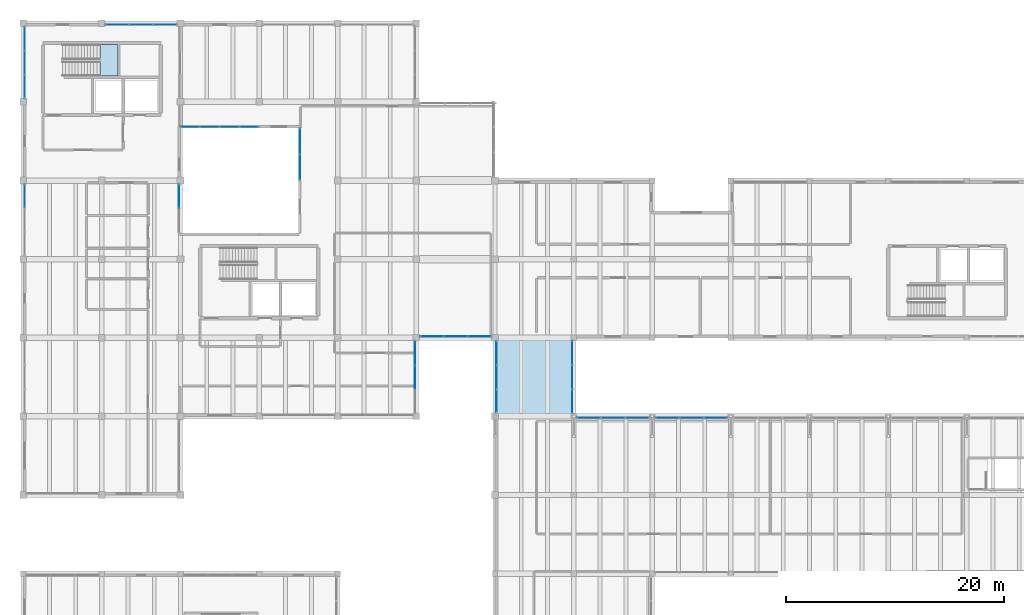
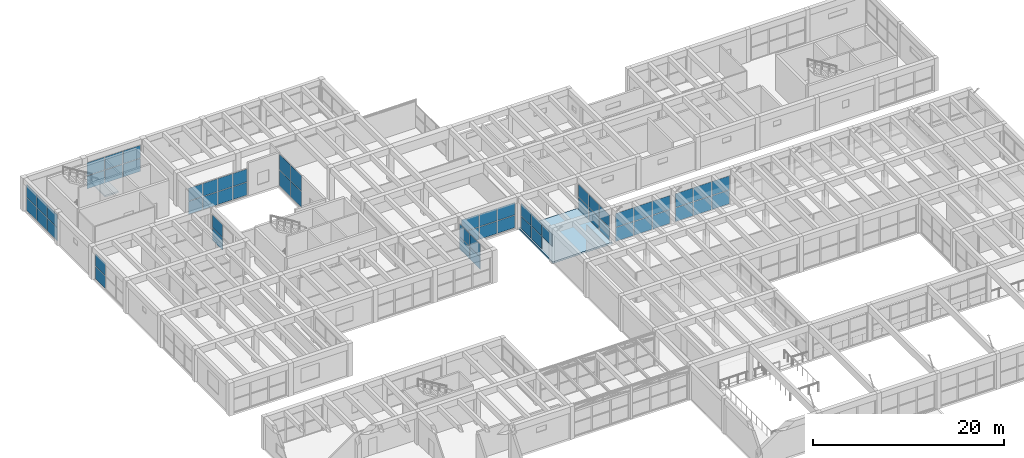
# One storey, part 122 of 153: 61 plates, 2 slabs, 13 elements without a shape of their own.
"""IFC4 building model written with IfcOpenShell, lengths in metres."""

from ifc_helpers import new_model, si_unit, direction, frame, origin, origin_2d, place, context, subcontext, project, spatial, polyline, rectangle, outline, extrude, material, layer, layer_set, type_object, element, aggregate, save


model = new_model("IFC4")

# Units and contexts
model_context = context("Model", 3, precision=1e-05, world=origin(), true_north=direction((0.0, 1.0)))
body_context = subcontext(model_context, "Body", "Model", "MODEL_VIEW")
ifc_project = project(units=[si_unit("LENGTHUNIT", "METRE"), si_unit("AREAUNIT", "SQUARE_METRE"), si_unit("VOLUMEUNIT", "CUBIC_METRE"), si_unit("PLANEANGLEUNIT", "RADIAN"), si_unit("MASSUNIT", "GRAM", prefix="KILO")], contexts=[model_context])

# Site, building, storey
site_placement = place(None, origin())
site = spatial("IfcSite", under=ifc_project, at=site_placement, CompositionType="ELEMENT")
building_placement = place(site_placement, origin())
building = spatial("IfcBuilding", under=site, at=building_placement, Name="Bramvelor Terrace Health Centre", CompositionType="ELEMENT")
storey_placement = place(building_placement, frame((0.0, 0.0, 4.800048828125)))
storey = spatial("IfcBuildingStorey", under=building, at=storey_placement, Name="L02", CompositionType="ELEMENT", Elevation=4.800048828125)

# Curtain wall, plates
ifc_material_1 = material(Name="Anodized aluminium and double low-E glass", Category="aluminium")
curtain_wall_type_1 = type_object("IfcCurtainWallType", Name="CW-SYS-12", PredefinedType="NOTDEFINED", material=ifc_material_1)
curtain_wall_1_placement = place(storey_placement, origin())
curtain_wall_1 = element("IfcCurtainWall", 1, at=curtain_wall_1_placement, inside=storey, type_object=curtain_wall_type_1, Name="L02 Unitized Curtain Wall 70", PredefinedType="NOTDEFINED")
ifc_material_2 = material(Name="Double low-E laminated glass", Category="glass")
ifc_layer_1 = layer(ifc_material_2, 0.028076171875)
ifc_layer_set_1 = layer_set([ifc_layer_1], Name="Double low-E laminated glass")
plate_type = type_object("IfcPlateType", Name="CW-PNL-GLZ28", PredefinedType="CURTAIN_PANEL", material=ifc_layer_set_1)
plate_1_placement = place(storey_placement, frame((43.330078125, 80.615478515625, 1.71240234375), z_axis=(0.0, 0.0, 1.0), x_axis=(0.0, 1.0, 0.0)))
plate_1 = element("IfcPlate", 2, at=plate_1_placement, type_object=plate_type, Name="CW-12 panel 1.2", PredefinedType="CURTAIN_PANEL", context=body_context, shape_type="SweptSolid", body=[
    extrude(rectangle(XDim=2.0908203125, YDim=0.028076171875, at=origin_2d()), origin(), (0.0, 0.0, 1.0), 1.58251953125),
])
plate_2_placement = place(storey_placement, frame((43.330078125, 82.800048828125, 0.06494140625), z_axis=(0.0, 0.0, 1.0), x_axis=(0.0, 1.0, 0.0)))
plate_2 = element("IfcPlate", 3, at=plate_2_placement, type_object=plate_type, Name="CW-12 panel 2.1", PredefinedType="CURTAIN_PANEL", context=body_context, shape_type="SweptSolid", body=[
    extrude(rectangle(XDim=2.12841796875, YDim=0.028076171875, at=origin_2d()), origin(), (0.0, 0.0, 1.0), 1.58251953125),
])
plate_3_placement = place(storey_placement, frame((43.330078125, 82.800048828125, 1.71240234375), z_axis=(0.0, 0.0, 1.0), x_axis=(0.0, 1.0, 0.0)))
plate_3 = element("IfcPlate", 4, at=plate_3_placement, type_object=plate_type, Name="CW-12 panel 2.2", PredefinedType="CURTAIN_PANEL", context=body_context, shape_type="SweptSolid", body=[
    extrude(rectangle(XDim=2.12841796875, YDim=0.028076171875, at=origin_2d()), origin(), (0.0, 0.0, 1.0), 1.58251953125),
])
plate_4_placement = place(storey_placement, frame((43.330078125, 84.984619140625, 0.06494140625), z_axis=(0.0, 0.0, 1.0), x_axis=(0.0, 1.0, 0.0)))
plate_4 = element("IfcPlate", 5, at=plate_4_placement, type_object=plate_type, Name="CW-12 panel 3.1", PredefinedType="CURTAIN_PANEL", context=body_context, shape_type="SweptSolid", body=[
    extrude(rectangle(XDim=2.0908203125, YDim=0.028076171875, at=origin_2d()), origin(), (0.0, 0.0, 1.0), 1.58251953125),
])
plate_5_placement = place(storey_placement, frame((43.330078125, 84.984619140625, 1.71240234375), z_axis=(0.0, 0.0, 1.0), x_axis=(0.0, 1.0, 0.0)))
plate_5 = element("IfcPlate", 6, at=plate_5_placement, type_object=plate_type, Name="CW-12 panel 3.2", PredefinedType="CURTAIN_PANEL", context=body_context, shape_type="SweptSolid", body=[
    extrude(rectangle(XDim=2.0908203125, YDim=0.028076171875, at=origin_2d()), origin(), (0.0, 0.0, 1.0), 1.58251953125),
])
aggregate(curtain_wall_1, [plate_1, plate_2, plate_3, plate_4, plate_5])

curtain_wall_2_placement = place(storey_placement, origin())
curtain_wall_2 = element("IfcCurtainWall", 7, at=curtain_wall_2_placement, inside=storey, type_object=curtain_wall_type_1, Name="L02 Unitized Curtain Wall 71", PredefinedType="NOTDEFINED")
plate_6_placement = place(storey_placement, frame((41.78466796875, 86.530029296875, 0.06494140625), z_axis=(0.0, 0.0, 1.0), x_axis=(-1.0, 0.0, 0.0)))
plate_6 = element("IfcPlate", 8, at=plate_6_placement, type_object=plate_type, Name="CW-12 panel 1.1", PredefinedType="CURTAIN_PANEL", context=body_context, shape_type="SweptSolid", body=[
    extrude(rectangle(XDim=2.0908203125, YDim=0.028076171875, at=origin_2d()), origin(), (0.0, 0.0, 1.0), 1.58251953125),
])
plate_7_placement = place(storey_placement, frame((41.78466796875, 86.530029296875, 1.71240234375), z_axis=(0.0, 0.0, 1.0), x_axis=(-1.0, 0.0, 0.0)))
plate_7 = element("IfcPlate", 9, at=plate_7_placement, type_object=plate_type, Name="CW-12 panel 1.2", PredefinedType="CURTAIN_PANEL", context=body_context, shape_type="SweptSolid", body=[
    extrude(rectangle(XDim=2.0908203125, YDim=0.028076171875, at=origin_2d()), origin(), (0.0, 0.0, 1.0), 1.58251953125),
])
plate_8_placement = place(storey_placement, frame((39.60009765625, 86.530029296875, 0.06494140625), z_axis=(0.0, 0.0, 1.0), x_axis=(-1.0, 0.0, 0.0)))
plate_8 = element("IfcPlate", 10, at=plate_8_placement, type_object=plate_type, Name="CW-12 panel 2.1", PredefinedType="CURTAIN_PANEL", context=body_context, shape_type="SweptSolid", body=[
    extrude(rectangle(XDim=2.12841796875, YDim=0.028076171875, at=origin_2d()), origin(), (0.0, 0.0, 1.0), 1.58251953125),
])
plate_9_placement = place(storey_placement, frame((39.60009765625, 86.530029296875, 1.71240234375), z_axis=(0.0, 0.0, 1.0), x_axis=(-1.0, 0.0, 0.0)))
plate_9 = element("IfcPlate", 11, at=plate_9_placement, type_object=plate_type, Name="CW-12 panel 2.2", PredefinedType="CURTAIN_PANEL", context=body_context, shape_type="SweptSolid", body=[
    extrude(rectangle(XDim=2.12841796875, YDim=0.028076171875, at=origin_2d()), origin(), (0.0, 0.0, 1.0), 1.58251953125),
])
plate_10_placement = place(storey_placement, frame((37.41552734375, 86.530029296875, 0.06494140625), z_axis=(0.0, 0.0, 1.0), x_axis=(-1.0, 0.0, 0.0)))
plate_10 = element("IfcPlate", 12, at=plate_10_placement, type_object=plate_type, Name="CW-12 panel 3.1", PredefinedType="CURTAIN_PANEL", context=body_context, shape_type="SweptSolid", body=[
    extrude(rectangle(XDim=2.0908203125, YDim=0.028076171875, at=origin_2d()), origin(), (0.0, 0.0, 1.0), 1.58251953125),
])
plate_11_placement = place(storey_placement, frame((37.41552734375, 86.530029296875, 1.71240234375), z_axis=(0.0, 0.0, 1.0), x_axis=(-1.0, 0.0, 0.0)))
plate_11 = element("IfcPlate", 13, at=plate_11_placement, type_object=plate_type, Name="CW-12 panel 3.2", PredefinedType="CURTAIN_PANEL", context=body_context, shape_type="SweptSolid", body=[
    extrude(rectangle(XDim=2.0908203125, YDim=0.028076171875, at=origin_2d()), origin(), (0.0, 0.0, 1.0), 1.58251953125),
])
aggregate(curtain_wall_2, [plate_6, plate_7, plate_8, plate_9, plate_10, plate_11])

curtain_wall_3_placement = place(storey_placement, origin())
curtain_wall_3 = element("IfcCurtainWall", 14, at=curtain_wall_3_placement, inside=storey, type_object=curtain_wall_type_1, Name="L02 Unitized Curtain Wall 72", PredefinedType="NOTDEFINED")
plate_12_placement = place(storey_placement, frame((35.8701171875, 84.984619140625, 0.06494140625), z_axis=(0.0, 0.0, 1.0), x_axis=(0.0, -1.0, 0.0)))
plate_12 = element("IfcPlate", 15, at=plate_12_placement, type_object=plate_type, Name="CW-12 panel 1.1", PredefinedType="CURTAIN_PANEL", context=body_context, shape_type="SweptSolid", body=[
    extrude(rectangle(XDim=2.0908203125, YDim=0.028076171875, at=origin_2d()), origin(), (0.0, 0.0, 1.0), 1.58251953125),
])
plate_13_placement = place(storey_placement, frame((35.8701171875, 84.984619140625, 1.71240234375), z_axis=(0.0, 0.0, 1.0), x_axis=(0.0, -1.0, 0.0)))
plate_13 = element("IfcPlate", 16, at=plate_13_placement, type_object=plate_type, Name="CW-12 panel 1.2", PredefinedType="CURTAIN_PANEL", context=body_context, shape_type="SweptSolid", body=[
    extrude(rectangle(XDim=2.0908203125, YDim=0.028076171875, at=origin_2d()), origin(), (0.0, 0.0, 1.0), 1.58251953125),
])
plate_14_placement = place(storey_placement, frame((35.8701171875, 82.800048828125, 0.06494140625), z_axis=(0.0, 0.0, 1.0), x_axis=(0.0, -1.0, 0.0)))
plate_14 = element("IfcPlate", 17, at=plate_14_placement, type_object=plate_type, Name="CW-12 panel 2.1", PredefinedType="CURTAIN_PANEL", context=body_context, shape_type="SweptSolid", body=[
    extrude(rectangle(XDim=2.12841796875, YDim=0.028076171875, at=origin_2d()), origin(), (0.0, 0.0, 1.0), 1.58251953125),
])
plate_15_placement = place(storey_placement, frame((35.8701171875, 82.800048828125, 1.71240234375), z_axis=(0.0, 0.0, 1.0), x_axis=(0.0, -1.0, 0.0)))
plate_15 = element("IfcPlate", 18, at=plate_15_placement, type_object=plate_type, Name="CW-12 panel 2.2", PredefinedType="CURTAIN_PANEL", context=body_context, shape_type="SweptSolid", body=[
    extrude(rectangle(XDim=2.12841796875, YDim=0.028076171875, at=origin_2d()), origin(), (0.0, 0.0, 1.0), 1.58251953125),
])
aggregate(curtain_wall_3, [plate_12, plate_13, plate_14, plate_15])

curtain_wall_4_placement = place(storey_placement, origin())
curtain_wall_4 = element("IfcCurtainWall", 19, at=curtain_wall_4_placement, inside=storey, type_object=curtain_wall_type_1, Name="L02 Unitized Curtain Wall 78", PredefinedType="NOTDEFINED")
plate_16_placement = place(storey_placement, frame((0.1298828125, 99.384521484375, 0.06494140625), z_axis=(0.0, 0.0, 1.0), x_axis=(0.0, 1.0, 0.0)))
plate_16 = element("IfcPlate", 20, at=plate_16_placement, type_object=plate_type, Name="CW-12 panel 3.1", PredefinedType="CURTAIN_PANEL", context=body_context, shape_type="SweptSolid", body=[
    extrude(rectangle(XDim=2.0908203125, YDim=0.028076171875, at=origin_2d()), origin(), (0.0, 0.0, 1.0), 1.58251953125),
])
plate_17_placement = place(storey_placement, frame((0.1298828125, 99.384521484375, 1.71240234375), z_axis=(0.0, 0.0, 1.0), x_axis=(0.0, 1.0, 0.0)))
plate_17 = element("IfcPlate", 21, at=plate_17_placement, type_object=plate_type, Name="CW-12 panel 3.2", PredefinedType="CURTAIN_PANEL", context=body_context, shape_type="SweptSolid", body=[
    extrude(rectangle(XDim=2.0908203125, YDim=0.028076171875, at=origin_2d()), origin(), (0.0, 0.0, 1.0), 1.58251953125),
])
aggregate(curtain_wall_4, [plate_16, plate_17])

ifc_material_3 = material(Name="Anodized aluminium and double low-E glass", Category="aluminium")
curtain_wall_type_2 = type_object("IfcCurtainWallType", Name="CW-SYS-13", PredefinedType="NOTDEFINED", material=ifc_material_3)
curtain_wall_5_placement = place(storey_placement, origin())
curtain_wall_5 = element("IfcCurtainWall", 22, at=curtain_wall_5_placement, inside=storey, type_object=curtain_wall_type_2, Name="L02 Unitized Curtain Wall 79", PredefinedType="NOTDEFINED")
plate_18_placement = place(storey_placement, frame((0.1298828125, 109.41552734375, 0.06494140625), z_axis=(0.0, 0.0, 1.0), x_axis=(0.0, 1.0, 0.0)))
plate_18 = element("IfcPlate", 23, at=plate_18_placement, type_object=plate_type, Name="CW-13 panel 1.1", PredefinedType="CURTAIN_PANEL", context=body_context, shape_type="SweptSolid", body=[
    extrude(rectangle(XDim=2.0908203125, YDim=0.028076171875, at=origin_2d()), origin(), (0.0, 0.0, 1.0), 1.632568359375),
])
plate_19_placement = place(storey_placement, frame((0.1298828125, 109.41552734375, 1.76220703125), z_axis=(0.0, 0.0, 1.0), x_axis=(0.0, 1.0, 0.0)))
plate_19 = element("IfcPlate", 24, at=plate_19_placement, type_object=plate_type, Name="CW-13 panel 1.2", PredefinedType="CURTAIN_PANEL", context=body_context, shape_type="SweptSolid", body=[
    extrude(rectangle(XDim=2.0908203125, YDim=0.028076171875, at=origin_2d()), origin(), (0.0, 0.0, 1.0), 1.632568359375),
])
plate_20_placement = place(storey_placement, frame((0.1298828125, 111.60009765625, 0.06494140625), z_axis=(0.0, 0.0, 1.0), x_axis=(0.0, 1.0, 0.0)))
plate_20 = element("IfcPlate", 25, at=plate_20_placement, type_object=plate_type, Name="CW-13 panel 2.1", PredefinedType="CURTAIN_PANEL", context=body_context, shape_type="SweptSolid", body=[
    extrude(rectangle(XDim=2.12841796875, YDim=0.028076171875, at=origin_2d()), origin(), (0.0, 0.0, 1.0), 1.632568359375),
])
plate_21_placement = place(storey_placement, frame((0.1298828125, 111.60009765625, 1.76220703125), z_axis=(0.0, 0.0, 1.0), x_axis=(0.0, 1.0, 0.0)))
plate_21 = element("IfcPlate", 26, at=plate_21_placement, type_object=plate_type, Name="CW-13 panel 2.2", PredefinedType="CURTAIN_PANEL", context=body_context, shape_type="SweptSolid", body=[
    extrude(rectangle(XDim=2.12841796875, YDim=0.028076171875, at=origin_2d()), origin(), (0.0, 0.0, 1.0), 1.632568359375),
])
plate_22_placement = place(storey_placement, frame((0.1298828125, 113.78466796875, 0.06494140625), z_axis=(0.0, 0.0, 1.0), x_axis=(0.0, 1.0, 0.0)))
plate_22 = element("IfcPlate", 27, at=plate_22_placement, type_object=plate_type, Name="CW-13 panel 3.1", PredefinedType="CURTAIN_PANEL", context=body_context, shape_type="SweptSolid", body=[
    extrude(rectangle(XDim=2.0908203125, YDim=0.028076171875, at=origin_2d()), origin(), (0.0, 0.0, 1.0), 1.632568359375),
])
plate_23_placement = place(storey_placement, frame((0.1298828125, 113.78466796875, 1.76220703125), z_axis=(0.0, 0.0, 1.0), x_axis=(0.0, 1.0, 0.0)))
plate_23 = element("IfcPlate", 28, at=plate_23_placement, type_object=plate_type, Name="CW-13 panel 3.2", PredefinedType="CURTAIN_PANEL", context=body_context, shape_type="SweptSolid", body=[
    extrude(rectangle(XDim=2.0908203125, YDim=0.028076171875, at=origin_2d()), origin(), (0.0, 0.0, 1.0), 1.632568359375),
])
aggregate(curtain_wall_5, [plate_18, plate_19, plate_20, plate_21, plate_22, plate_23])

curtain_wall_6_placement = place(storey_placement, origin())
curtain_wall_6 = element("IfcCurtainWall", 29, at=curtain_wall_6_placement, inside=storey, type_object=curtain_wall_type_2, Name="L02 Unitized Curtain Wall 80", PredefinedType="NOTDEFINED")
plate_24_placement = place(storey_placement, frame((8.615478515625, 115.070068359375, 0.06494140625), z_axis=(0.0, 0.0, 1.0), x_axis=(1.0, 0.0, 0.0)))
plate_24 = element("IfcPlate", 30, at=plate_24_placement, type_object=plate_type, Name="CW-13 panel 1.1", PredefinedType="CURTAIN_PANEL", context=body_context, shape_type="SweptSolid", body=[
    extrude(rectangle(XDim=2.0908203125, YDim=0.028076171875, at=origin_2d()), origin(), (0.0, 0.0, 1.0), 1.632568359375),
])
plate_25_placement = place(storey_placement, frame((8.615478515625, 115.070068359375, 1.76220703125), z_axis=(0.0, 0.0, 1.0), x_axis=(1.0, 0.0, 0.0)))
plate_25 = element("IfcPlate", 31, at=plate_25_placement, type_object=plate_type, Name="CW-13 panel 1.2", PredefinedType="CURTAIN_PANEL", context=body_context, shape_type="SweptSolid", body=[
    extrude(rectangle(XDim=2.0908203125, YDim=0.028076171875, at=origin_2d()), origin(), (0.0, 0.0, 1.0), 1.632568359375),
])
plate_26_placement = place(storey_placement, frame((10.800048828125, 115.070068359375, 0.06494140625), z_axis=(0.0, 0.0, 1.0), x_axis=(1.0, 0.0, 0.0)))
plate_26 = element("IfcPlate", 32, at=plate_26_placement, type_object=plate_type, Name="CW-13 panel 2.1", PredefinedType="CURTAIN_PANEL", context=body_context, shape_type="SweptSolid", body=[
    extrude(rectangle(XDim=2.12841796875, YDim=0.028076171875, at=origin_2d()), origin(), (0.0, 0.0, 1.0), 1.632568359375),
])
plate_27_placement = place(storey_placement, frame((10.800048828125, 115.070068359375, 1.76220703125), z_axis=(0.0, 0.0, 1.0), x_axis=(1.0, 0.0, 0.0)))
plate_27 = element("IfcPlate", 33, at=plate_27_placement, type_object=plate_type, Name="CW-13 panel 2.2", PredefinedType="CURTAIN_PANEL", context=body_context, shape_type="SweptSolid", body=[
    extrude(rectangle(XDim=2.12841796875, YDim=0.028076171875, at=origin_2d()), origin(), (0.0, 0.0, 1.0), 1.632568359375),
])
plate_28_placement = place(storey_placement, frame((12.984619140625, 115.070068359375, 0.06494140625), z_axis=(0.0, 0.0, 1.0), x_axis=(1.0, 0.0, 0.0)))
plate_28 = element("IfcPlate", 34, at=plate_28_placement, type_object=plate_type, Name="CW-13 panel 3.1", PredefinedType="CURTAIN_PANEL", context=body_context, shape_type="SweptSolid", body=[
    extrude(rectangle(XDim=2.0908203125, YDim=0.028076171875, at=origin_2d()), origin(), (0.0, 0.0, 1.0), 1.632568359375),
])
plate_29_placement = place(storey_placement, frame((12.984619140625, 115.070068359375, 1.76220703125), z_axis=(0.0, 0.0, 1.0), x_axis=(1.0, 0.0, 0.0)))
plate_29 = element("IfcPlate", 35, at=plate_29_placement, type_object=plate_type, Name="CW-13 panel 3.2", PredefinedType="CURTAIN_PANEL", context=body_context, shape_type="SweptSolid", body=[
    extrude(rectangle(XDim=2.0908203125, YDim=0.028076171875, at=origin_2d()), origin(), (0.0, 0.0, 1.0), 1.632568359375),
])
aggregate(curtain_wall_6, [plate_24, plate_25, plate_26, plate_27, plate_28, plate_29])

ifc_material_4 = material(Name="Anodized aluminium and double low-E glass", Category="aluminium")
curtain_wall_type_3 = type_object("IfcCurtainWallType", Name="CW-SYS-16", PredefinedType="NOTDEFINED", material=ifc_material_4)
curtain_wall_7_placement = place(storey_placement, origin())
curtain_wall_7 = element("IfcCurtainWall", 36, at=curtain_wall_7_placement, inside=storey, type_object=curtain_wall_type_3, Name="L02 Unitized Curtain Wall 90", PredefinedType="NOTDEFINED")
plate_30_placement = place(storey_placement, frame((50.27001953125, 85.017822265625, 0.06494140625), z_axis=(0.0, 0.0, 1.0), x_axis=(0.0, -1.0, 0.0)))
plate_30 = element("IfcPlate", 37, at=plate_30_placement, type_object=plate_type, Name="CW-16 panel 1.1", PredefinedType="CURTAIN_PANEL", context=body_context, shape_type="SweptSolid", body=[
    extrude(rectangle(XDim=2.124267578125, YDim=0.028076171875, at=origin_2d()), origin(), (0.0, 0.0, 1.0), 1.58251953125),
])
plate_31_placement = place(storey_placement, frame((50.27001953125, 85.017822265625, 1.71240234375), z_axis=(0.0, 0.0, 1.0), x_axis=(0.0, -1.0, 0.0)))
plate_31 = element("IfcPlate", 38, at=plate_31_placement, type_object=plate_type, Name="CW-16 panel 1.2", PredefinedType="CURTAIN_PANEL", context=body_context, shape_type="SweptSolid", body=[
    extrude(rectangle(XDim=2.124267578125, YDim=0.028076171875, at=origin_2d()), origin(), (0.0, 0.0, 1.0), 1.58251953125),
])
plate_32_placement = place(storey_placement, frame((50.27001953125, 82.800048828125, 0.06494140625), z_axis=(0.0, 0.0, 1.0), x_axis=(0.0, -1.0, 0.0)))
plate_32 = element("IfcPlate", 39, at=plate_32_placement, type_object=plate_type, Name="CW-16 panel 2.1", PredefinedType="CURTAIN_PANEL", context=body_context, shape_type="SweptSolid", body=[
    extrude(rectangle(XDim=2.16162109375, YDim=0.028076171875, at=origin_2d()), origin(), (0.0, 0.0, 1.0), 1.58251953125),
])
plate_33_placement = place(storey_placement, frame((50.27001953125, 82.800048828125, 1.71240234375), z_axis=(0.0, 0.0, 1.0), x_axis=(0.0, -1.0, 0.0)))
plate_33 = element("IfcPlate", 40, at=plate_33_placement, type_object=plate_type, Name="CW-16 panel 2.2", PredefinedType="CURTAIN_PANEL", context=body_context, shape_type="SweptSolid", body=[
    extrude(rectangle(XDim=2.16162109375, YDim=0.028076171875, at=origin_2d()), origin(), (0.0, 0.0, 1.0), 1.58251953125),
])
plate_34_placement = place(storey_placement, frame((50.27001953125, 80.58203125, 0.06494140625), z_axis=(0.0, 0.0, 1.0), x_axis=(0.0, -1.0, 0.0)))
plate_34 = element("IfcPlate", 41, at=plate_34_placement, type_object=plate_type, Name="CW-16 panel 3.1", PredefinedType="CURTAIN_PANEL", context=body_context, shape_type="SweptSolid", body=[
    extrude(rectangle(XDim=2.124267578125, YDim=0.028076171875, at=origin_2d()), origin(), (0.0, 0.0, 1.0), 1.58251953125),
])
plate_35_placement = place(storey_placement, frame((50.27001953125, 80.58203125, 1.71240234375), z_axis=(0.0, 0.0, 1.0), x_axis=(0.0, -1.0, 0.0)))
plate_35 = element("IfcPlate", 42, at=plate_35_placement, type_object=plate_type, Name="CW-16 panel 3.2", PredefinedType="CURTAIN_PANEL", context=body_context, shape_type="SweptSolid", body=[
    extrude(rectangle(XDim=2.124267578125, YDim=0.028076171875, at=origin_2d()), origin(), (0.0, 0.0, 1.0), 1.58251953125),
])
aggregate(curtain_wall_7, [plate_30, plate_31, plate_32, plate_33, plate_34, plate_35])

ifc_material_5 = material(Name="Anodized aluminium and double low-E glass", Category="aluminium")
curtain_wall_type_4 = type_object("IfcCurtainWallType", Name="CW-SYS-17", PredefinedType="NOTDEFINED", material=ifc_material_5)
curtain_wall_8_placement = place(storey_placement, origin())
curtain_wall_8 = element("IfcCurtainWall", 43, at=curtain_wall_8_placement, inside=storey, type_object=curtain_wall_type_4, Name="L02 Unitized Curtain Wall 91", PredefinedType="NOTDEFINED")
plate_36_placement = place(storey_placement, frame((51.781982421875, 79.070068359375, 0.06494140625), z_axis=(0.0, 0.0, 1.0), x_axis=(1.0, 0.0, 0.0)))
plate_36 = element("IfcPlate", 44, at=plate_36_placement, type_object=plate_type, Name="CW-17 panel 1.1", PredefinedType="CURTAIN_PANEL", context=body_context, shape_type="SweptSolid", body=[
    extrude(rectangle(XDim=2.124267578125, YDim=0.028076171875, at=origin_2d()), origin(), (0.0, 0.0, 1.0), 1.757568359375),
])
plate_37_placement = place(storey_placement, frame((51.781982421875, 79.070068359375, 1.88720703125), z_axis=(0.0, 0.0, 1.0), x_axis=(1.0, 0.0, 0.0)))
plate_37 = element("IfcPlate", 45, at=plate_37_placement, type_object=plate_type, Name="CW-17 panel 1.2", PredefinedType="CURTAIN_PANEL", context=body_context, shape_type="SweptSolid", body=[
    extrude(rectangle(XDim=2.124267578125, YDim=0.028076171875, at=origin_2d()), origin(), (0.0, 0.0, 1.0), 1.757568359375),
])
plate_38_placement = place(storey_placement, frame((54.0, 79.070068359375, 0.06494140625), z_axis=(0.0, 0.0, 1.0), x_axis=(1.0, 0.0, 0.0)))
plate_38 = element("IfcPlate", 46, at=plate_38_placement, type_object=plate_type, Name="CW-17 panel 2.1", PredefinedType="CURTAIN_PANEL", context=body_context, shape_type="SweptSolid", body=[
    extrude(rectangle(XDim=2.16162109375, YDim=0.028076171875, at=origin_2d()), origin(), (0.0, 0.0, 1.0), 1.757568359375),
])
plate_39_placement = place(storey_placement, frame((54.0, 79.070068359375, 1.88720703125), z_axis=(0.0, 0.0, 1.0), x_axis=(1.0, 0.0, 0.0)))
plate_39 = element("IfcPlate", 47, at=plate_39_placement, type_object=plate_type, Name="CW-17 panel 2.2", PredefinedType="CURTAIN_PANEL", context=body_context, shape_type="SweptSolid", body=[
    extrude(rectangle(XDim=2.16162109375, YDim=0.028076171875, at=origin_2d()), origin(), (0.0, 0.0, 1.0), 1.757568359375),
])
plate_40_placement = place(storey_placement, frame((56.218017578125, 79.070068359375, 0.06494140625), z_axis=(0.0, 0.0, 1.0), x_axis=(1.0, 0.0, 0.0)))
plate_40 = element("IfcPlate", 48, at=plate_40_placement, type_object=plate_type, Name="CW-17 panel 3.1", PredefinedType="CURTAIN_PANEL", context=body_context, shape_type="SweptSolid", body=[
    extrude(rectangle(XDim=2.124267578125, YDim=0.028076171875, at=origin_2d()), origin(), (0.0, 0.0, 1.0), 1.757568359375),
])
plate_41_placement = place(storey_placement, frame((56.218017578125, 79.070068359375, 1.88720703125), z_axis=(0.0, 0.0, 1.0), x_axis=(1.0, 0.0, 0.0)))
plate_41 = element("IfcPlate", 49, at=plate_41_placement, type_object=plate_type, Name="CW-17 panel 3.2", PredefinedType="CURTAIN_PANEL", context=body_context, shape_type="SweptSolid", body=[
    extrude(rectangle(XDim=2.124267578125, YDim=0.028076171875, at=origin_2d()), origin(), (0.0, 0.0, 1.0), 1.757568359375),
])
aggregate(curtain_wall_8, [plate_36, plate_37, plate_38, plate_39, plate_40, plate_41])

curtain_wall_9_placement = place(storey_placement, origin())
curtain_wall_9 = element("IfcCurtainWall", 50, at=curtain_wall_9_placement, inside=storey, type_object=curtain_wall_type_4, Name="L02 Unitized Curtain Wall 92", PredefinedType="NOTDEFINED")
plate_42_placement = place(storey_placement, frame((58.982177734375, 79.070068359375, 0.06494140625), z_axis=(0.0, 0.0, 1.0), x_axis=(1.0, 0.0, 0.0)))
plate_42 = element("IfcPlate", 51, at=plate_42_placement, type_object=plate_type, Name="CW-17 panel 1.1", PredefinedType="CURTAIN_PANEL", context=body_context, shape_type="SweptSolid", body=[
    extrude(rectangle(XDim=2.124267578125, YDim=0.028076171875, at=origin_2d()), origin(), (0.0, 0.0, 1.0), 1.757568359375),
])
plate_43_placement = place(storey_placement, frame((58.982177734375, 79.070068359375, 1.88720703125), z_axis=(0.0, 0.0, 1.0), x_axis=(1.0, 0.0, 0.0)))
plate_43 = element("IfcPlate", 52, at=plate_43_placement, type_object=plate_type, Name="CW-17 panel 1.2", PredefinedType="CURTAIN_PANEL", context=body_context, shape_type="SweptSolid", body=[
    extrude(rectangle(XDim=2.124267578125, YDim=0.028076171875, at=origin_2d()), origin(), (0.0, 0.0, 1.0), 1.757568359375),
])
plate_44_placement = place(storey_placement, frame((61.199951171875, 79.070068359375, 0.06494140625), z_axis=(0.0, 0.0, 1.0), x_axis=(1.0, 0.0, 0.0)))
plate_44 = element("IfcPlate", 53, at=plate_44_placement, type_object=plate_type, Name="CW-17 panel 2.1", PredefinedType="CURTAIN_PANEL", context=body_context, shape_type="SweptSolid", body=[
    extrude(rectangle(XDim=2.16162109375, YDim=0.028076171875, at=origin_2d()), origin(), (0.0, 0.0, 1.0), 1.757568359375),
])
plate_45_placement = place(storey_placement, frame((61.199951171875, 79.070068359375, 1.88720703125), z_axis=(0.0, 0.0, 1.0), x_axis=(1.0, 0.0, 0.0)))
plate_45 = element("IfcPlate", 54, at=plate_45_placement, type_object=plate_type, Name="CW-17 panel 2.2", PredefinedType="CURTAIN_PANEL", context=body_context, shape_type="SweptSolid", body=[
    extrude(rectangle(XDim=2.16162109375, YDim=0.028076171875, at=origin_2d()), origin(), (0.0, 0.0, 1.0), 1.757568359375),
])
plate_46_placement = place(storey_placement, frame((63.41796875, 79.070068359375, 0.06494140625), z_axis=(0.0, 0.0, 1.0), x_axis=(1.0, 0.0, 0.0)))
plate_46 = element("IfcPlate", 55, at=plate_46_placement, type_object=plate_type, Name="CW-17 panel 3.1", PredefinedType="CURTAIN_PANEL", context=body_context, shape_type="SweptSolid", body=[
    extrude(rectangle(XDim=2.124267578125, YDim=0.028076171875, at=origin_2d()), origin(), (0.0, 0.0, 1.0), 1.757568359375),
])
plate_47_placement = place(storey_placement, frame((63.41796875, 79.070068359375, 1.88720703125), z_axis=(0.0, 0.0, 1.0), x_axis=(1.0, 0.0, 0.0)))
plate_47 = element("IfcPlate", 56, at=plate_47_placement, type_object=plate_type, Name="CW-17 panel 3.2", PredefinedType="CURTAIN_PANEL", context=body_context, shape_type="SweptSolid", body=[
    extrude(rectangle(XDim=2.124267578125, YDim=0.028076171875, at=origin_2d()), origin(), (0.0, 0.0, 1.0), 1.757568359375),
])
aggregate(curtain_wall_9, [plate_42, plate_43, plate_44, plate_45, plate_46, plate_47])

ifc_material_6 = material(Name="Anodized aluminium and double low-E glass", Category="aluminium")
curtain_wall_type_5 = type_object("IfcCurtainWallType", Name="CW-SYS-21", PredefinedType="NOTDEFINED", material=ifc_material_6)
curtain_wall_10_placement = place(storey_placement, origin())
curtain_wall_10 = element("IfcCurtainWall", 57, at=curtain_wall_10_placement, inside=storey, type_object=curtain_wall_type_5, Name="L02 Unitized Curtain Wall 143", PredefinedType="NOTDEFINED")
plate_48_placement = place(storey_placement, frame((14.27001953125, 99.35498046875, 0.06494140625), z_axis=(0.0, 0.0, 1.0), x_axis=(0.0, -1.0, 0.0)))
plate_48 = element("IfcPlate", 58, at=plate_48_placement, type_object=plate_type, Name="CW-21 panel 1.1", PredefinedType="CURTAIN_PANEL", context=body_context, shape_type="SweptSolid", body=[
    extrude(rectangle(XDim=2.14990234375, YDim=0.028076171875, at=origin_2d()), origin(), (0.0, 0.0, 1.0), 1.58251953125),
])
plate_49_placement = place(storey_placement, frame((14.27001953125, 99.35498046875, 1.71240234375), z_axis=(0.0, 0.0, 1.0), x_axis=(0.0, -1.0, 0.0)))
plate_49 = element("IfcPlate", 59, at=plate_49_placement, type_object=plate_type, Name="CW-21 panel 1.2", PredefinedType="CURTAIN_PANEL", context=body_context, shape_type="SweptSolid", body=[
    extrude(rectangle(XDim=2.14990234375, YDim=0.028076171875, at=origin_2d()), origin(), (0.0, 0.0, 1.0), 1.58251953125),
])
aggregate(curtain_wall_10, [plate_48, plate_49])

ifc_material_7 = material(Name="Anodized aluminium and double low-E glass", Category="aluminium")
curtain_wall_type_6 = type_object("IfcCurtainWallType", Name="CW-SYS-22", PredefinedType="NOTDEFINED", material=ifc_material_7)
curtain_wall_11_placement = place(storey_placement, origin())
curtain_wall_11 = element("IfcCurtainWall", 60, at=curtain_wall_11_placement, inside=storey, type_object=curtain_wall_type_6, Name="L02 Unitized Curtain Wall 144", PredefinedType="NOTDEFINED")
plate_50_placement = place(storey_placement, frame((25.330078125, 102.023681640625, 0.06494140625), z_axis=(0.0, 0.0, 1.0), x_axis=(0.0, 1.0, 0.0)))
plate_50 = element("IfcPlate", 61, at=plate_50_placement, type_object=plate_type, Name="CW-22 panel 1.1", PredefinedType="CURTAIN_PANEL", context=body_context, shape_type="SweptSolid", body=[
    extrude(rectangle(XDim=2.297607421875, YDim=0.028076171875, at=origin_2d()), origin(), (0.0, 0.0, 1.0), 1.982421875),
])
plate_51_placement = place(storey_placement, frame((25.330078125, 102.023681640625, 2.112548828125), z_axis=(0.0, 0.0, 1.0), x_axis=(0.0, 1.0, 0.0)))
plate_51 = element("IfcPlate", 62, at=plate_51_placement, type_object=plate_type, Name="CW-22 panel 1.2", PredefinedType="CURTAIN_PANEL", context=body_context, shape_type="SweptSolid", body=[
    extrude(rectangle(XDim=2.297607421875, YDim=0.028076171875, at=origin_2d()), origin(), (0.0, 0.0, 1.0), 1.982421875),
])
plate_52_placement = place(storey_placement, frame((25.330078125, 104.396240234375, 0.06494140625), z_axis=(0.0, 0.0, 1.0), x_axis=(0.0, 1.0, 0.0)))
plate_52 = element("IfcPlate", 63, at=plate_52_placement, type_object=plate_type, Name="CW-22 panel 2.1", PredefinedType="CURTAIN_PANEL", context=body_context, shape_type="SweptSolid", body=[
    extrude(rectangle(XDim=2.297607421875, YDim=0.028076171875, at=origin_2d()), origin(), (0.0, 0.0, 1.0), 1.982421875),
])
plate_53_placement = place(storey_placement, frame((25.330078125, 104.396240234375, 2.112548828125), z_axis=(0.0, 0.0, 1.0), x_axis=(0.0, 1.0, 0.0)))
plate_53 = element("IfcPlate", 64, at=plate_53_placement, type_object=plate_type, Name="CW-22 panel 2.2", PredefinedType="CURTAIN_PANEL", context=body_context, shape_type="SweptSolid", body=[
    extrude(rectangle(XDim=2.297607421875, YDim=0.028076171875, at=origin_2d()), origin(), (0.0, 0.0, 1.0), 1.982421875),
])
aggregate(curtain_wall_11, [plate_50, plate_51, plate_52, plate_53])

ifc_material_8 = material(Name="Anodized aluminium and double low-E glass", Category="aluminium")
curtain_wall_type_7 = type_object("IfcCurtainWallType", Name="CW-SYS-23", PredefinedType="NOTDEFINED", material=ifc_material_8)
curtain_wall_12_placement = place(storey_placement, origin())
curtain_wall_12 = element("IfcCurtainWall", 65, at=curtain_wall_12_placement, inside=storey, type_object=curtain_wall_type_7, Name="L02 Unitized Curtain Wall 145", PredefinedType="NOTDEFINED")
plate_54_placement = place(storey_placement, frame((20.67626953125, 105.72998046875, 0.06494140625), z_axis=(0.0, 0.0, 1.0), x_axis=(-1.0, 0.0, 0.0)))
plate_54 = element("IfcPlate", 66, at=plate_54_placement, type_object=plate_type, Name="CW-23 panel 1.1", PredefinedType="CURTAIN_PANEL", context=body_context, shape_type="SweptSolid", body=[
    extrude(rectangle(XDim=1.697509765625, YDim=0.028076171875, at=origin_2d()), origin(), (0.0, 0.0, 1.0), 1.632568359375),
])
plate_55_placement = place(storey_placement, frame((20.67626953125, 105.72998046875, 1.76220703125), z_axis=(0.0, 0.0, 1.0), x_axis=(-1.0, 0.0, 0.0)))
plate_55 = element("IfcPlate", 67, at=plate_55_placement, type_object=plate_type, Name="CW-23 panel 1.2", PredefinedType="CURTAIN_PANEL", context=body_context, shape_type="SweptSolid", body=[
    extrude(rectangle(XDim=1.697509765625, YDim=0.028076171875, at=origin_2d()), origin(), (0.0, 0.0, 1.0), 1.632568359375),
])
plate_56_placement = place(storey_placement, frame((18.885009765625, 105.72998046875, 0.06494140625), z_axis=(0.0, 0.0, 1.0), x_axis=(-1.0, 0.0, 0.0)))
plate_56 = element("IfcPlate", 68, at=plate_56_placement, type_object=plate_type, Name="CW-23 panel 2.1", PredefinedType="CURTAIN_PANEL", context=body_context, shape_type="SweptSolid", body=[
    extrude(rectangle(XDim=1.735107421875, YDim=0.028076171875, at=origin_2d()), origin(), (0.0, 0.0, 1.0), 1.632568359375),
])
plate_57_placement = place(storey_placement, frame((18.885009765625, 105.72998046875, 1.76220703125), z_axis=(0.0, 0.0, 1.0), x_axis=(-1.0, 0.0, 0.0)))
plate_57 = element("IfcPlate", 69, at=plate_57_placement, type_object=plate_type, Name="CW-23 panel 2.2", PredefinedType="CURTAIN_PANEL", context=body_context, shape_type="SweptSolid", body=[
    extrude(rectangle(XDim=1.735107421875, YDim=0.028076171875, at=origin_2d()), origin(), (0.0, 0.0, 1.0), 1.632568359375),
])
plate_58_placement = place(storey_placement, frame((17.074951171875, 105.72998046875, 0.06494140625), z_axis=(0.0, 0.0, 1.0), x_axis=(-1.0, 0.0, 0.0)))
plate_58 = element("IfcPlate", 70, at=plate_58_placement, type_object=plate_type, Name="CW-23 panel 3.1", PredefinedType="CURTAIN_PANEL", context=body_context, shape_type="SweptSolid", body=[
    extrude(rectangle(XDim=1.735107421875, YDim=0.028076171875, at=origin_2d()), origin(), (0.0, 0.0, 1.0), 1.632568359375),
])
plate_59_placement = place(storey_placement, frame((17.074951171875, 105.72998046875, 1.76220703125), z_axis=(0.0, 0.0, 1.0), x_axis=(-1.0, 0.0, 0.0)))
plate_59 = element("IfcPlate", 71, at=plate_59_placement, type_object=plate_type, Name="CW-23 panel 3.2", PredefinedType="CURTAIN_PANEL", context=body_context, shape_type="SweptSolid", body=[
    extrude(rectangle(XDim=1.735107421875, YDim=0.028076171875, at=origin_2d()), origin(), (0.0, 0.0, 1.0), 1.632568359375),
])
plate_60_placement = place(storey_placement, frame((15.28369140625, 105.72998046875, 0.06494140625), z_axis=(0.0, 0.0, 1.0), x_axis=(-1.0, 0.0, 0.0)))
plate_60 = element("IfcPlate", 72, at=plate_60_placement, type_object=plate_type, Name="CW-23 panel 4.1", PredefinedType="CURTAIN_PANEL", context=body_context, shape_type="SweptSolid", body=[
    extrude(rectangle(XDim=1.697509765625, YDim=0.028076171875, at=origin_2d()), origin(), (0.0, 0.0, 1.0), 1.632568359375),
])
plate_61_placement = place(storey_placement, frame((15.28369140625, 105.72998046875, 1.76220703125), z_axis=(0.0, 0.0, 1.0), x_axis=(-1.0, 0.0, 0.0)))
plate_61 = element("IfcPlate", 73, at=plate_61_placement, type_object=plate_type, Name="CW-23 panel 4.2", PredefinedType="CURTAIN_PANEL", context=body_context, shape_type="SweptSolid", body=[
    extrude(rectangle(XDim=1.697509765625, YDim=0.028076171875, at=origin_2d()), origin(), (0.0, 0.0, 1.0), 1.632568359375),
])
aggregate(curtain_wall_12, [plate_54, plate_55, plate_56, plate_57, plate_58, plate_59, plate_60, plate_61])

# Slab
ifc_material_9 = material(Name="Concrete C40/50", Category="concrete")
ifc_layer_2 = layer(ifc_material_9, 0.219970703125)
ifc_layer_set_2 = layer_set([ifc_layer_2], Name="Concrete C40/50")
slab_type_1 = type_object("IfcSlabType", Name="SLB-FLR-BRG220", PredefinedType="FLOOR", material=ifc_layer_set_2)
slab_1_placement = place(storey_placement, frame((0.0, 0.0, -0.219970703125)))
element("IfcSlab", 74, at=slab_1_placement, inside=storey, type_object=slab_type_1, Name="L02 BR2 Floor Slab", PredefinedType="FLOOR", context=body_context, shape_type="SweptSolid", body=[
    extrude(outline(polyline([(50.39990234375, 79.199951171875), (50.39990234375, 86.39990234375), (43.199951171875, 86.39990234375), (43.199951171875, 79.199951171875), (50.39990234375, 79.199951171875)])), origin(), (0.0, 0.0, 1.0), 0.219970703125),
])

# Stair, slab
ifc_material_10 = material(Name="Concrete C40/50", Category="concrete")
stair_type = type_object("IfcStairType", Name="STR-CORE", PredefinedType="HALF_TURN_STAIR", material=ifc_material_10)
stair_placement = place(storey_placement, origin())
stair = element("IfcStair", 75, at=stair_placement, inside=storey, type_object=stair_type, Name="L02 C1 Primary Fire Stair", PredefinedType="HALF_TURN_STAIR")
ifc_material_11 = material(Name="Concrete C40/50", Category="concrete")
ifc_layer_3 = layer(ifc_material_11, 0.199951171875)
ifc_layer_set_3 = layer_set([ifc_layer_3], Name="Concrete C40/50")
slab_type_2 = type_object("IfcSlabType", Name="SLB-LND-200", PredefinedType="LANDING", material=ifc_layer_set_3)
slab_2_placement = place(storey_placement, frame((0.0, 0.0, 2.050048828125)))
slab_2 = element("IfcSlab", 76, at=slab_2_placement, type_object=slab_type_2, Name="ST-1 landing 1", PredefinedType="LANDING", context=body_context, shape_type="SweptSolid", body=[
    extrude(outline(polyline([(7.02001953125, 110.35009765625), (8.655029296875, 110.35009765625), (8.655029296875, 113.25), (7.02001953125, 113.25), (7.02001953125, 110.35009765625)])), origin(), (0.0, 0.0, 1.0), 0.199951171875),
])
aggregate(stair, [slab_2])

save(model, "model.ifc")
